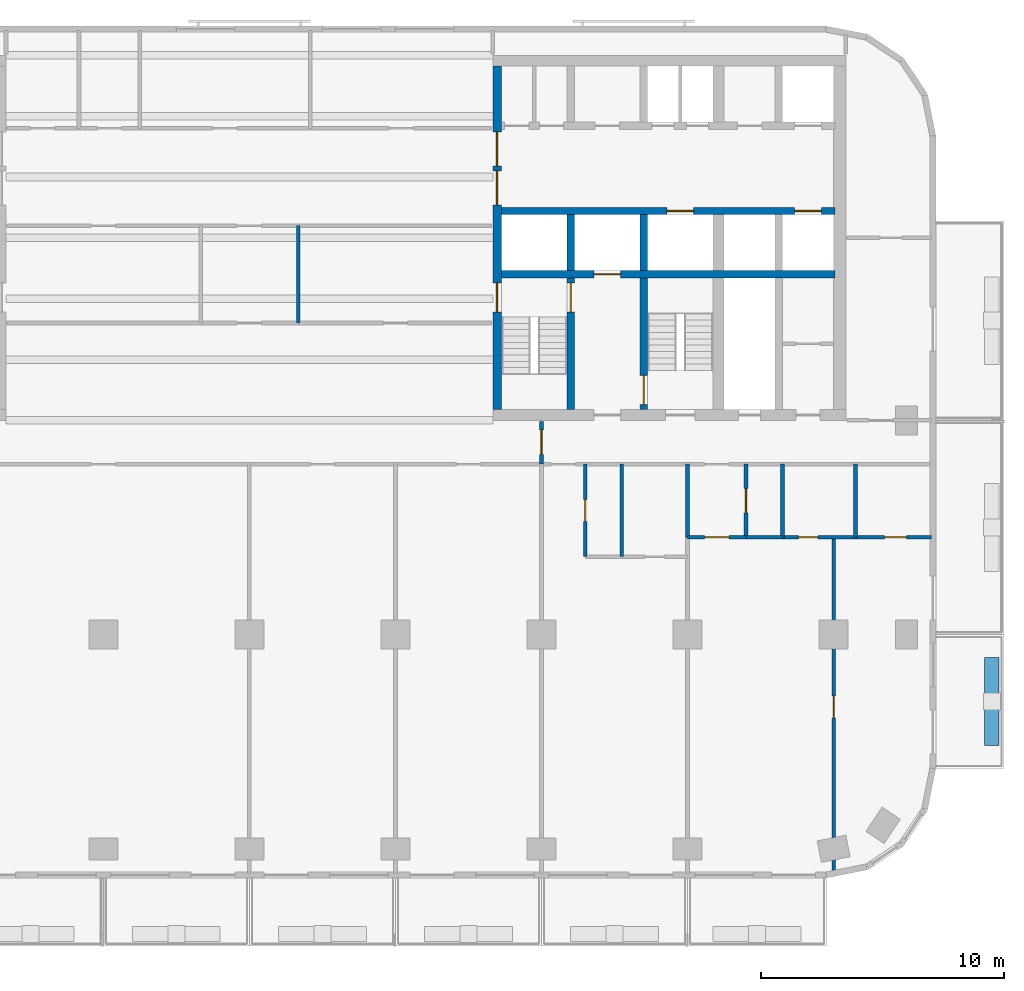
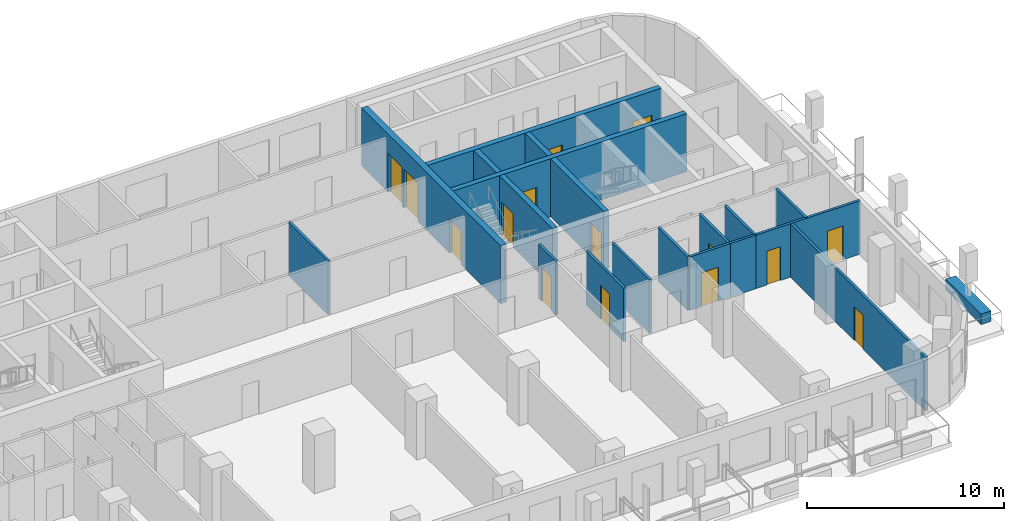
# One storey, part 5 of 11: 20 walls, 15 doors, 15 openings.
"""IFC4 building model written with IfcOpenShell, lengths in metres."""

from ifc_helpers import new_model, si_unit, direction, frame, frame_2d, origin, place, context, subcontext, project, spatial, rectangle, extrude, material, layer, layer_set, type_object, element, fill, save


model = new_model("IFC4")

# Units and contexts
model_context = context("Model", 3, precision=1e-05, world=origin(), true_north=direction((0.0, 1.0)))
body_context = subcontext(model_context, "Body", "Model", "MODEL_VIEW")
ifc_project = project(units=[si_unit("LENGTHUNIT", "METRE"), si_unit("AREAUNIT", "SQUARE_METRE"), si_unit("VOLUMEUNIT", "CUBIC_METRE"), si_unit("PLANEANGLEUNIT", "RADIAN"), si_unit("MASSUNIT", "GRAM", prefix="KILO")], contexts=[model_context])

# Site, building, storey
site_placement = place(None, origin())
site = spatial("IfcSite", under=ifc_project, at=site_placement, CompositionType="ELEMENT")
building_placement = place(site_placement, origin())
building = spatial("IfcBuilding", under=site, at=building_placement, Name="Torana Hotel and Residences", CompositionType="ELEMENT")
storey_placement = place(building_placement, frame((0.0, 0.0, 116.39990234375)))
storey = spatial("IfcBuildingStorey", under=building, at=storey_placement, Name="L29", CompositionType="ELEMENT", Elevation=116.39990234375)

# Wall, openings, doors
ifc_material_1 = material(Name="Concrete C70/85", Category="concrete")
ifc_layer_1 = layer(ifc_material_1, 0.300048828125)
ifc_layer_set_1 = layer_set([ifc_layer_1], Name="CORE WALL 300 C70/85")
wall_type_1 = type_object("IfcWallType", Name="CORE WALL 300 C70/85", PredefinedType="SHEAR", material=ifc_layer_set_1)
wall_1_placement = place(storey_placement, frame((10.35009765625, -6.39990234375, 0.0), z_axis=(0.0, 0.0, 1.0), x_axis=(1.0, 0.0, 0.0)))
wall_1 = element("IfcWall", 1, at=wall_1_placement, inside=storey, type_object=wall_type_1, Name="Core wall E row-S", PredefinedType="SHEAR", context=body_context, shape_type="SweptSolid", body=[
    extrude(rectangle(XDim=13.699951171875, YDim=0.300048828125, at=frame_2d((6.85009765625, 0.0))), origin(), (0.0, 0.0, 1.0), 3.60009765625),
])
opening_1_placement = place(wall_1_placement, frame((12.050048828125, 0.0, 0.0)))
opening_1 = element("IfcOpeningElement", 2, at=opening_1_placement, cuts=wall_1, Name="Opening LD", PredefinedType="OPENING", context=body_context, shape_type="SweptSolid", body=[
    extrude(rectangle(XDim=1.10009765625, YDim=2.10009765625, at=frame_2d((0.550048828125, 1.050048828125))), frame((0.0, 0.159912109375, 0.0), z_axis=(0.0, -1.0, 0.0), x_axis=(1.0, 0.0, 0.0)), (0.0, 0.0, 1.0), 0.320068359375),
])
opening_2_placement = place(wall_1_placement, frame((6.800048828125, 0.0, 0.0)))
opening_2 = element("IfcOpeningElement", 3, at=opening_2_placement, cuts=wall_1, Name="Opening LD", PredefinedType="OPENING", context=body_context, shape_type="SweptSolid", body=[
    extrude(rectangle(XDim=1.10009765625, YDim=2.10009765625, at=frame_2d((0.550048828125, 1.050048828125))), frame((0.0, 0.159912109375, 0.0), z_axis=(0.0, -1.0, 0.0), x_axis=(1.0, 0.0, 0.0)), (0.0, 0.0, 1.0), 0.320068359375),
])
ifc_material_2 = material(Name="Stainless steel 316", Category="steel")
door_type_1 = type_object("IfcDoorType", Name="LIFT LANDING DOOR LD 1100x2100", OperationType="DOUBLE_DOOR_SLIDING", PredefinedType="USERDEFINED", material=ifc_material_2)
door_1_placement = place(opening_1_placement, origin())
door_1 = element("IfcDoor", 4, at=door_1_placement, inside=storey, type_object=door_type_1, Name="Lift landing door M4 L29", ObjectType="LIFT LANDING DOOR", OperationType="DOUBLE_DOOR_SLIDING", OverallHeight=2.10009765625, OverallWidth=1.10009765625, PredefinedType="USERDEFINED", context=body_context, shape_type="SweptSolid", body=[
    extrude(rectangle(XDim=1.10009765625, YDim=2.10009765625, at=frame_2d((0.550048828125, 1.050048828125))), frame((0.0, 0.02490234375, 0.0), z_axis=(0.0, -1.0, 0.0), x_axis=(1.0, 0.0, 0.0)), (0.0, 0.0, 1.0), 0.050048828125),
])
fill(opening_1, door_1)
door_2_placement = place(opening_2_placement, origin())
door_2 = element("IfcDoor", 5, at=door_2_placement, inside=storey, type_object=door_type_1, Name="Lift landing door SV2 L29", ObjectType="LIFT LANDING DOOR", OperationType="DOUBLE_DOOR_SLIDING", OverallHeight=2.10009765625, OverallWidth=1.10009765625, PredefinedType="USERDEFINED", context=body_context, shape_type="SweptSolid", body=[
    extrude(rectangle(XDim=1.10009765625, YDim=2.10009765625, at=frame_2d((0.550048828125, 1.050048828125))), frame((0.0, 0.02490234375, 0.0), z_axis=(0.0, -1.0, 0.0), x_axis=(1.0, 0.0, 0.0)), (0.0, 0.0, 1.0), 0.050048828125),
])
fill(opening_2, door_2)

# Wall, opening, door
wall_2_placement = place(storey_placement, frame((10.35009765625, -9.0, 0.0), z_axis=(0.0, 0.0, 1.0), x_axis=(1.0, 0.0, 0.0)))
wall_2 = element("IfcWall", 6, at=wall_2_placement, inside=storey, type_object=wall_type_1, Name="Core wall E band", PredefinedType="SHEAR", context=body_context, shape_type="SweptSolid", body=[
    extrude(rectangle(XDim=13.699951171875, YDim=0.300048828125, at=frame_2d((6.85009765625, 0.0))), origin(), (0.0, 0.0, 1.0), 3.60009765625),
])
opening_3_placement = place(wall_2_placement, frame((3.800048828125, 0.0, 0.0)))
opening_3 = element("IfcOpeningElement", 7, at=opening_3_placement, cuts=wall_2, Name="Opening LD", PredefinedType="OPENING", context=body_context, shape_type="SweptSolid", body=[
    extrude(rectangle(XDim=1.10009765625, YDim=2.10009765625, at=frame_2d((0.550048828125, 1.050048828125))), frame((0.0, 0.159912109375, 0.0), z_axis=(0.0, -1.0, 0.0), x_axis=(1.0, 0.0, 0.0)), (0.0, 0.0, 1.0), 0.320068359375),
])
door_3_placement = place(opening_3_placement, origin())
door_3 = element("IfcDoor", 8, at=door_3_placement, inside=storey, type_object=door_type_1, Name="Lift landing door FF2 L29", ObjectType="LIFT LANDING DOOR", OperationType="DOUBLE_DOOR_SLIDING", OverallHeight=2.10009765625, OverallWidth=1.10009765625, PredefinedType="USERDEFINED", context=body_context, shape_type="SweptSolid", body=[
    extrude(rectangle(XDim=1.10009765625, YDim=2.10009765625, at=frame_2d((0.550048828125, 1.050048828125))), frame((0.0, 0.02490234375, 0.0), z_axis=(0.0, -1.0, 0.0), x_axis=(1.0, 0.0, 0.0)), (0.0, 0.0, 1.0), 0.050048828125),
])
fill(opening_3, door_3)

# Wall
wall_3_placement = place(storey_placement, frame((13.199951171875, -8.85009765625, 0.0), z_axis=(0.0, 0.0, 1.0), x_axis=(0.0, 1.0, 0.0)))
element("IfcWall", 9, at=wall_3_placement, inside=storey, type_object=wall_type_1, Name="Core wall E x3.05-S", PredefinedType="SHEAR", context=body_context, shape_type="SweptSolid", body=[
    extrude(rectangle(XDim=2.300048828125, YDim=0.300048828125, at=frame_2d((1.14990234375, 0.0))), origin(), (0.0, 0.0, 1.0), 3.60009765625),
])

# Wall, opening, door
wall_4_placement = place(storey_placement, frame((13.199951171875, -14.550048828125, 0.0), z_axis=(0.0, 0.0, 1.0), x_axis=(0.0, 1.0, 0.0)))
wall_4 = element("IfcWall", 10, at=wall_4_placement, inside=storey, type_object=wall_type_1, Name="Core wall E x3.05-band", PredefinedType="SHEAR", context=body_context, shape_type="SweptSolid", body=[
    extrude(rectangle(XDim=5.400146484375, YDim=0.300048828125, at=frame_2d((2.7001953125, 0.0))), origin(), (0.0, 0.0, 1.0), 3.60009765625),
])
opening_4_placement = place(wall_4_placement, frame((4.0, 0.0, 0.0)))
opening_4 = element("IfcOpeningElement", 11, at=opening_4_placement, cuts=wall_4, Name="Opening L29-29", PredefinedType="OPENING", context=body_context, shape_type="SweptSolid", body=[
    extrude(rectangle(XDim=1.199951171875, YDim=2.10009765625, at=frame_2d((0.60009765625, 1.050048828125))), frame((0.0, 0.159912109375, 0.0), z_axis=(0.0, -1.0, 0.0), x_axis=(1.0, 0.0, 0.0)), (0.0, 0.0, 1.0), 0.320068359375),
])
ifc_material_3 = material(Name="Steel S235", Category="steel")
door_type_2 = type_object("IfcDoorType", Name="STAIR FIRE DOOR D3 1200x2100", OperationType="SINGLE_SWING_LEFT", PredefinedType="DOOR", material=ifc_material_3)
door_4_placement = place(opening_4_placement, origin())
door_4 = element("IfcDoor", 12, at=door_4_placement, inside=storey, type_object=door_type_2, Name="Stair-A-lobby door L29", OperationType="SINGLE_SWING_LEFT", OverallHeight=2.10009765625, OverallWidth=1.199951171875, PredefinedType="DOOR", context=body_context, shape_type="SweptSolid", body=[
    extrude(rectangle(XDim=1.199951171875, YDim=2.10009765625, at=frame_2d((0.60009765625, 1.050048828125))), frame((0.0, 0.02490234375, 0.0), z_axis=(0.0, -1.0, 0.0), x_axis=(1.0, 0.0, 0.0)), (0.0, 0.0, 1.0), 0.050048828125),
])
fill(opening_4, door_4)

# Wall
wall_5_placement = place(storey_placement, frame((16.199951171875, -8.85009765625, 0.0), z_axis=(0.0, 0.0, 1.0), x_axis=(0.0, 1.0, 0.0)))
element("IfcWall", 13, at=wall_5_placement, inside=storey, type_object=wall_type_1, Name="Core wall E x6.05-S", PredefinedType="SHEAR", context=body_context, shape_type="SweptSolid", body=[
    extrude(rectangle(XDim=2.300048828125, YDim=0.300048828125, at=frame_2d((1.14990234375, 0.0))), origin(), (0.0, 0.0, 1.0), 3.60009765625),
])

# Wall, opening, door
wall_6_placement = place(storey_placement, frame((16.199951171875, -14.550048828125, 0.0), z_axis=(0.0, 0.0, 1.0), x_axis=(0.0, 1.0, 0.0)))
wall_6 = element("IfcWall", 14, at=wall_6_placement, inside=storey, type_object=wall_type_1, Name="Core wall E x6.05-band", PredefinedType="SHEAR", context=body_context, shape_type="SweptSolid", body=[
    extrude(rectangle(XDim=5.400146484375, YDim=0.300048828125, at=frame_2d((2.7001953125, 0.0))), origin(), (0.0, 0.0, 1.0), 3.60009765625),
])
opening_5_placement = place(wall_6_placement, frame((0.199951171875, 0.0, 0.0)))
opening_5 = element("IfcOpeningElement", 15, at=opening_5_placement, cuts=wall_6, Name="Opening L29-30", PredefinedType="OPENING", context=body_context, shape_type="SweptSolid", body=[
    extrude(rectangle(XDim=1.199951171875, YDim=2.10009765625, at=frame_2d((0.60009765625, 1.050048828125))), frame((0.0, 0.159912109375, 0.0), z_axis=(0.0, -1.0, 0.0), x_axis=(1.0, 0.0, 0.0)), (0.0, 0.0, 1.0), 0.320068359375),
])
door_5_placement = place(opening_5_placement, frame((0.60009765625, 0.0, 0.0), z_axis=(0.0, 0.0, 1.0), x_axis=(-1.0, 0.0, 0.0)))
door_5 = element("IfcDoor", 16, at=door_5_placement, inside=storey, type_object=door_type_2, Name="Stair-B-lobby door L29", OperationType="SINGLE_SWING_LEFT", OverallHeight=2.10009765625, OverallWidth=1.199951171875, PredefinedType="DOOR", context=body_context, shape_type="SweptSolid", body=[
    extrude(rectangle(XDim=1.199951171875, YDim=2.10009765625, at=frame_2d((0.0, 1.050048828125))), frame((0.0, -0.02490234375, 0.0), z_axis=(0.0, 1.0, 0.0), x_axis=(-1.0, 0.0, 0.0)), (0.0, 0.0, 1.0), 0.050048828125),
])
fill(opening_5, door_5)

# Wall, openings, doors
ifc_material_4 = material(Name="Concrete C70/85", Category="concrete")
ifc_layer_2 = layer(ifc_material_4, 0.35009765625)
ifc_layer_set_2 = layer_set([ifc_layer_2], Name="CORE WALL 350 C70/85")
wall_type_2 = type_object("IfcWallType", Name="CORE WALL 350 C70/85", PredefinedType="SHEAR", material=ifc_layer_set_2)
wall_7_placement = place(storey_placement, frame((10.175048828125, -14.550048828125, 0.0), z_axis=(0.0, 0.0, 1.0), x_axis=(0.0, 1.0, 0.0)))
wall_7 = element("IfcWall", 17, at=wall_7_placement, inside=storey, type_object=wall_type_2, Name="Core wall E arch", PredefinedType="SHEAR", context=body_context, shape_type="SweptSolid", body=[
    extrude(rectangle(XDim=14.10009765625, YDim=0.35009765625, at=frame_2d((7.050048828125, 0.0))), origin(), (0.0, 0.0, 1.0), 3.60009765625),
])
opening_6_placement = place(wall_7_placement, frame((8.39990234375, 0.0, 0.0)))
opening_6 = element("IfcOpeningElement", 18, at=opening_6_placement, cuts=wall_7, Name="Opening L29-16", PredefinedType="OPENING", context=body_context, shape_type="SweptSolid", body=[
    extrude(rectangle(XDim=1.39990234375, YDim=2.39990234375, at=frame_2d((0.699951171875, 1.199951171875))), frame((0.0, 0.18505859375, 0.0), z_axis=(0.0, -1.0, 0.0), x_axis=(1.0, 0.0, 0.0)), (0.0, 0.0, 1.0), 0.3701171875),
])
opening_7_placement = place(wall_7_placement, frame((10.0, 0.0, 0.0)))
opening_7 = element("IfcOpeningElement", 19, at=opening_7_placement, cuts=wall_7, Name="Opening L29-17", PredefinedType="OPENING", context=body_context, shape_type="SweptSolid", body=[
    extrude(rectangle(XDim=1.39990234375, YDim=2.39990234375, at=frame_2d((0.699951171875, 1.199951171875))), frame((0.0, 0.18505859375, 0.0), z_axis=(0.0, -1.0, 0.0), x_axis=(1.0, 0.0, 0.0)), (0.0, 0.0, 1.0), 0.3701171875),
])
opening_8_placement = place(wall_7_placement, frame((4.0, 0.0, 0.0)))
opening_8 = element("IfcOpeningElement", 20, at=opening_8_placement, cuts=wall_7, Name="Opening L29-18", PredefinedType="OPENING", context=body_context, shape_type="SweptSolid", body=[
    extrude(rectangle(XDim=1.199951171875, YDim=2.10009765625, at=frame_2d((0.60009765625, 1.050048828125))), frame((0.0, 0.18505859375, 0.0), z_axis=(0.0, -1.0, 0.0), x_axis=(1.0, 0.0, 0.0)), (0.0, 0.0, 1.0), 0.3701171875),
])
ifc_material_5 = material(Name="Steel S235", Category="steel")
door_type_3 = type_object("IfcDoorType", Name="LOBBY FIRE DOOR D4 1400x2400", OperationType="DOUBLE_DOOR_SINGLE_SWING", PredefinedType="DOOR", material=ifc_material_5)
door_6_placement = place(opening_6_placement, origin())
door_6 = element("IfcDoor", 21, at=door_6_placement, inside=storey, type_object=door_type_3, Name="Lobby-1 door L29", OperationType="DOUBLE_DOOR_SINGLE_SWING", OverallHeight=2.39990234375, OverallWidth=1.39990234375, PredefinedType="DOOR", context=body_context, shape_type="SweptSolid", body=[
    extrude(rectangle(XDim=1.39990234375, YDim=2.39990234375, at=frame_2d((0.699951171875, 1.199951171875))), frame((0.0, 0.02490234375, 0.0), z_axis=(0.0, -1.0, 0.0), x_axis=(1.0, 0.0, 0.0)), (0.0, 0.0, 1.0), 0.050048828125),
])
fill(opening_6, door_6)
door_7_placement = place(opening_7_placement, origin())
door_7 = element("IfcDoor", 22, at=door_7_placement, inside=storey, type_object=door_type_3, Name="Lobby-2 door L29", OperationType="DOUBLE_DOOR_SINGLE_SWING", OverallHeight=2.39990234375, OverallWidth=1.39990234375, PredefinedType="DOOR", context=body_context, shape_type="SweptSolid", body=[
    extrude(rectangle(XDim=1.39990234375, YDim=2.39990234375, at=frame_2d((0.699951171875, 1.199951171875))), frame((0.0, 0.02490234375, 0.0), z_axis=(0.0, -1.0, 0.0), x_axis=(1.0, 0.0, 0.0)), (0.0, 0.0, 1.0), 0.050048828125),
])
fill(opening_7, door_7)
door_8_placement = place(opening_8_placement, frame((0.60009765625, 0.0, 0.0), z_axis=(0.0, 0.0, 1.0), x_axis=(-1.0, 0.0, 0.0)))
door_8 = element("IfcDoor", 23, at=door_8_placement, inside=storey, type_object=door_type_2, Name="Stair-A door L29", OperationType="SINGLE_SWING_RIGHT", OverallHeight=2.10009765625, OverallWidth=1.199951171875, PredefinedType="DOOR", context=body_context, shape_type="SweptSolid", body=[
    extrude(rectangle(XDim=1.199951171875, YDim=2.10009765625, at=frame_2d((0.0, 1.050048828125))), frame((0.0, -0.02490234375, 0.0), z_axis=(0.0, 1.0, 0.0), x_axis=(-1.0, 0.0, 0.0)), (0.0, 0.0, 1.0), 0.050048828125),
])
fill(opening_8, door_8)

# Wall, opening, door
ifc_material_6 = material(Name="Gypsum plaster")
ifc_layer_3 = layer(ifc_material_6, 0.014892578125, Name="Plaster", Category="finish")
ifc_material_7 = material(Name="Concrete blockwork", Category="masonry")
ifc_layer_4 = layer(ifc_material_7, 0.1201171875, Name="Blockwork", Category="structure")
ifc_layer_5 = layer(ifc_material_6, 0.014892578125, Name="Plaster", Category="finish")
ifc_layer_set_3 = layer_set([ifc_layer_3, ifc_layer_4, ifc_layer_5], Name="FIRE PARTITION 150 BLOCKWORK")
wall_type_3 = type_object("IfcWallType", Name="FIRE PARTITION 150 BLOCKWORK", PredefinedType="PARTITIONING", material=ifc_layer_set_3)
wall_8_placement = place(storey_placement, frame((20.39990234375, -19.800048828125, 0.0), z_axis=(0.0, 0.0, 1.0), x_axis=(0.0, 1.0, 0.0)))
wall_8 = element("IfcWall", 24, at=wall_8_placement, inside=storey, type_object=wall_type_3, Name="Partition L29", PredefinedType="PARTITIONING", context=body_context, shape_type="SweptSolid", body=[
    extrude(rectangle(XDim=3.0, YDim=0.14990234375, at=frame_2d((1.5, 0.0))), origin(), (0.0, 0.0, 1.0), 3.320068359375),
])
opening_9_placement = place(wall_8_placement, frame((1.0, 0.0, 0.0)))
opening_9 = element("IfcOpeningElement", 25, at=opening_9_placement, cuts=wall_8, Name="Opening L29-62", PredefinedType="OPENING", context=body_context, shape_type="SweptSolid", body=[
    extrude(rectangle(XDim=1.0, YDim=2.10009765625, at=frame_2d((0.5, 1.050048828125))), frame((0.0, 0.0849609375, 0.0), z_axis=(0.0, -1.0, 0.0), x_axis=(1.0, 0.0, 0.0)), (0.0, 0.0, 1.0), 0.169921875),
])
ifc_material_8 = material(Name="Steel S235", Category="steel")
door_type_4 = type_object("IfcDoorType", Name="ENTRY FIRE DOOR D6 1000x2100", OperationType="SINGLE_SWING_LEFT", PredefinedType="DOOR", material=ifc_material_8)
door_9_placement = place(opening_9_placement, frame((0.5, 0.0, 0.0), z_axis=(0.0, 0.0, 1.0), x_axis=(-1.0, 0.0, 0.0)))
door_9 = element("IfcDoor", 26, at=door_9_placement, inside=storey, type_object=door_type_4, Name="Door L29", OperationType="SINGLE_SWING_LEFT", OverallHeight=2.10009765625, OverallWidth=1.0, PredefinedType="DOOR", context=body_context, shape_type="SweptSolid", body=[
    extrude(rectangle(XDim=1.0, YDim=2.10009765625, at=frame_2d((0.0, 1.050048828125))), frame((0.0, -0.02490234375, 0.0), z_axis=(0.0, 1.0, 0.0), x_axis=(-1.0, 0.0, 0.0)), (0.0, 0.0, 1.0), 0.050048828125),
])
fill(opening_9, door_9)

# Wall
wall_9_placement = place(storey_placement, frame((18.0, -19.800048828125, 0.0), z_axis=(0.0, 0.0, 1.0), x_axis=(0.0, 1.0, 0.0)))
element("IfcWall", 27, at=wall_9_placement, inside=storey, type_object=wall_type_3, Name="Partition L29", PredefinedType="PARTITIONING", context=body_context, shape_type="SweptSolid", body=[
    extrude(rectangle(XDim=3.0, YDim=0.14990234375, at=frame_2d((1.5, 0.0))), origin(), (0.0, 0.0, 1.0), 3.320068359375),
])

# Wall, opening, door
wall_10_placement = place(storey_placement, frame((12.0, -16.800048828125, 0.0), z_axis=(0.0, 0.0, 1.0), x_axis=(0.0, 1.0, 0.0)))
wall_10 = element("IfcWall", 28, at=wall_10_placement, inside=storey, type_object=wall_type_3, Name="Partition L29", PredefinedType="PARTITIONING", context=body_context, shape_type="SweptSolid", body=[
    extrude(rectangle(XDim=1.75, YDim=0.14990234375, at=frame_2d((0.875, 0.0))), origin(), (0.0, 0.0, 1.0), 3.320068359375),
])
opening_10_placement = place(wall_10_placement, frame((0.39990234375, 0.0, 0.0)))
opening_10 = element("IfcOpeningElement", 29, at=opening_10_placement, cuts=wall_10, Name="Opening L29-38", PredefinedType="OPENING", context=body_context, shape_type="SweptSolid", body=[
    extrude(rectangle(XDim=1.0, YDim=2.10009765625, at=frame_2d((0.5, 1.050048828125))), frame((0.0, 0.0849609375, 0.0), z_axis=(0.0, -1.0, 0.0), x_axis=(1.0, 0.0, 0.0)), (0.0, 0.0, 1.0), 0.169921875),
])
door_10_placement = place(opening_10_placement, origin())
door_10 = element("IfcDoor", 30, at=door_10_placement, inside=storey, type_object=door_type_4, Name="Door L29", OperationType="SINGLE_SWING_RIGHT", OverallHeight=2.10009765625, OverallWidth=1.0, PredefinedType="DOOR", context=body_context, shape_type="SweptSolid", body=[
    extrude(rectangle(XDim=1.0, YDim=2.10009765625, at=frame_2d((0.5, 1.050048828125))), frame((0.0, 0.02490234375, 0.0), z_axis=(0.0, -1.0, 0.0), x_axis=(1.0, 0.0, 0.0)), (0.0, 0.0, 1.0), 0.050048828125),
])
fill(opening_10, door_10)

# Wall
wall_11_placement = place(storey_placement, frame((2.0, -11.0, 0.0), z_axis=(0.0, 0.0, 1.0), x_axis=(0.0, 1.0, 0.0)))
element("IfcWall", 31, at=wall_11_placement, inside=storey, type_object=wall_type_3, Name="Partition L29", PredefinedType="PARTITIONING", context=body_context, shape_type="SweptSolid", body=[
    extrude(rectangle(XDim=4.0, YDim=0.14990234375, at=frame_2d((2.0, 0.0))), origin(), (0.0, 0.0, 1.0), 3.320068359375),
])

# Wall, opening, door
wall_12_placement = place(storey_placement, frame((18.0, -19.800048828125, 0.0), z_axis=(0.0, 0.0, 1.0), x_axis=(1.0, 0.0, 0.0)))
wall_12 = element("IfcWall", 32, at=wall_12_placement, inside=storey, type_object=wall_type_3, Name="Partition L29", PredefinedType="PARTITIONING", context=body_context, shape_type="SweptSolid", body=[
    extrude(rectangle(XDim=2.39990234375, YDim=0.14990234375, at=frame_2d((1.199951171875, 0.0))), origin(), (0.0, 0.0, 1.0), 3.320068359375),
])
opening_11_placement = place(wall_12_placement, frame((0.699951171875, 0.0, 0.0)))
opening_11 = element("IfcOpeningElement", 33, at=opening_11_placement, cuts=wall_12, Name="Opening L29-63", PredefinedType="OPENING", context=body_context, shape_type="SweptSolid", body=[
    extrude(rectangle(XDim=1.0, YDim=2.10009765625, at=frame_2d((0.5, 1.050048828125))), frame((0.0, 0.0849609375, 0.0), z_axis=(0.0, -1.0, 0.0), x_axis=(1.0, 0.0, 0.0)), (0.0, 0.0, 1.0), 0.169921875),
])
door_11_placement = place(opening_11_placement, frame((0.5, 0.0, 0.0), z_axis=(0.0, 0.0, 1.0), x_axis=(-1.0, 0.0, 0.0)))
door_11 = element("IfcDoor", 34, at=door_11_placement, inside=storey, type_object=door_type_4, Name="Door L29", OperationType="SINGLE_SWING_LEFT", OverallHeight=2.10009765625, OverallWidth=1.0, PredefinedType="DOOR", context=body_context, shape_type="SweptSolid", body=[
    extrude(rectangle(XDim=1.0, YDim=2.10009765625, at=frame_2d((0.0, 1.050048828125))), frame((0.0, -0.02490234375, 0.0), z_axis=(0.0, 1.0, 0.0), x_axis=(-1.0, 0.0, 0.0)), (0.0, 0.0, 1.0), 0.050048828125),
])
fill(opening_11, door_11)

# Wall
ifc_material_9 = material(Name="Gypsum plasterboard")
ifc_layer_6 = layer(ifc_material_9, 0.012451171875, Name="Plasterboard", Category="finish")
ifc_layer_7 = layer(ifc_material_9, 0.012451171875, Name="Plasterboard", Category="finish")
ifc_material_10 = material(Name="Steel S280GD", Category="steel")
ifc_layer_8 = layer(ifc_material_10, 0.10009765625, Name="Steel studs with mineral wool", Category="insulation")
ifc_layer_9 = layer(ifc_material_9, 0.012451171875, Name="Plasterboard", Category="finish")
ifc_layer_10 = layer(ifc_material_9, 0.012451171875, Name="Plasterboard", Category="finish")
ifc_layer_set_4 = layer_set([ifc_layer_6, ifc_layer_7, ifc_layer_8, ifc_layer_9, ifc_layer_10], Name="PARTITION 150 PLASTERBOARD")
wall_type_4 = type_object("IfcWallType", Name="PARTITION 150 PLASTERBOARD", PredefinedType="PARTITIONING", material=ifc_layer_set_4)
wall_13_placement = place(storey_placement, frame((24.89990234375, -19.800048828125, 0.0), z_axis=(0.0, 0.0, 1.0), x_axis=(0.0, 1.0, 0.0)))
element("IfcWall", 35, at=wall_13_placement, inside=storey, type_object=wall_type_4, Name="Partition L29", PredefinedType="PARTITIONING", context=body_context, shape_type="SweptSolid", body=[
    extrude(rectangle(XDim=3.0, YDim=0.14990234375, at=frame_2d((1.5, 0.0))), origin(), (0.0, 0.0, 1.0), 3.320068359375),
])

# Wall, opening, door
wall_14_placement = place(storey_placement, frame((24.0, -33.556884765625, 0.0), z_axis=(0.0, 0.0, 1.0), x_axis=(0.0, 1.0, 0.0)))
wall_14 = element("IfcWall", 36, at=wall_14_placement, inside=storey, type_object=wall_type_4, Name="Partition L29", PredefinedType="PARTITIONING", context=body_context, shape_type="SweptSolid", body=[
    extrude(rectangle(XDim=13.7568359375, YDim=0.14990234375, at=frame_2d((6.87841796875, 0.0))), origin(), (0.0, 0.0, 1.0), 3.320068359375),
])
opening_12_placement = place(wall_14_placement, frame((6.3369140625, 0.0, 0.0)))
opening_12 = element("IfcOpeningElement", 37, at=opening_12_placement, cuts=wall_14, Name="Opening L29-66", PredefinedType="OPENING", context=body_context, shape_type="SweptSolid", body=[
    extrude(rectangle(XDim=0.89990234375, YDim=2.10009765625, at=frame_2d((0.449951171875, 1.050048828125))), frame((0.0, 0.0849609375, 0.0), z_axis=(0.0, -1.0, 0.0), x_axis=(1.0, 0.0, 0.0)), (0.0, 0.0, 1.0), 0.169921875),
])
ifc_material_11 = material(Name="Timber door, oiled ash", Category="wood")
door_type_5 = type_object("IfcDoorType", Name="ROOM DOOR D7 900x2100", OperationType="SINGLE_SWING_LEFT", PredefinedType="DOOR", material=ifc_material_11)
door_12_placement = place(opening_12_placement, origin())
door_12 = element("IfcDoor", 38, at=door_12_placement, inside=storey, type_object=door_type_5, Name="Door L29", OperationType="SINGLE_SWING_RIGHT", OverallHeight=2.10009765625, OverallWidth=0.89990234375, PredefinedType="DOOR", context=body_context, shape_type="SweptSolid", body=[
    extrude(rectangle(XDim=0.89990234375, YDim=2.10009765625, at=frame_2d((0.449951171875, 1.050048828125))), frame((0.0, 0.02490234375, 0.0), z_axis=(0.0, -1.0, 0.0), x_axis=(1.0, 0.0, 0.0)), (0.0, 0.0, 1.0), 0.050048828125),
])
fill(opening_12, door_12)

# Wall
wall_15_placement = place(storey_placement, frame((15.300048828125, -20.60009765625, 0.0), z_axis=(0.0, 0.0, 1.0), x_axis=(0.0, 1.0, 0.0)))
element("IfcWall", 39, at=wall_15_placement, inside=storey, type_object=wall_type_4, Name="Partition L29", PredefinedType="PARTITIONING", context=body_context, shape_type="SweptSolid", body=[
    extrude(rectangle(XDim=3.800048828125, YDim=0.14990234375, at=frame_2d((1.89990234375, 0.0))), origin(), (0.0, 0.0, 1.0), 3.320068359375),
])

# Wall, opening, door
wall_16_placement = place(storey_placement, frame((13.800048828125, -20.60009765625, 0.0), z_axis=(0.0, 0.0, 1.0), x_axis=(0.0, 1.0, 0.0)))
wall_16 = element("IfcWall", 40, at=wall_16_placement, inside=storey, type_object=wall_type_4, Name="Partition L29", PredefinedType="PARTITIONING", context=body_context, shape_type="SweptSolid", body=[
    extrude(rectangle(XDim=3.800048828125, YDim=0.14990234375, at=frame_2d((1.89990234375, 0.0))), origin(), (0.0, 0.0, 1.0), 3.320068359375),
])
opening_13_placement = place(wall_16_placement, frame((1.449951171875, 0.0, 0.0)))
opening_13 = element("IfcOpeningElement", 41, at=opening_13_placement, cuts=wall_16, Name="Opening L29-55", PredefinedType="OPENING", context=body_context, shape_type="SweptSolid", body=[
    extrude(rectangle(XDim=0.89990234375, YDim=2.10009765625, at=frame_2d((0.449951171875, 1.050048828125))), frame((0.0, 0.0849609375, 0.0), z_axis=(0.0, -1.0, 0.0), x_axis=(1.0, 0.0, 0.0)), (0.0, 0.0, 1.0), 0.169921875),
])
door_13_placement = place(opening_13_placement, origin())
door_13 = element("IfcDoor", 42, at=door_13_placement, inside=storey, type_object=door_type_5, Name="Door L29", OperationType="SINGLE_SWING_LEFT", OverallHeight=2.10009765625, OverallWidth=0.89990234375, PredefinedType="DOOR", context=body_context, shape_type="SweptSolid", body=[
    extrude(rectangle(XDim=0.89990234375, YDim=2.10009765625, at=frame_2d((0.449951171875, 1.050048828125))), frame((0.0, 0.02490234375, 0.0), z_axis=(0.0, -1.0, 0.0), x_axis=(1.0, 0.0, 0.0)), (0.0, 0.0, 1.0), 0.050048828125),
])
fill(opening_13, door_13)

# Wall, openings, doors
wall_17_placement = place(storey_placement, frame((21.89990234375, -19.800048828125, 0.0), z_axis=(0.0, 0.0, 1.0), x_axis=(1.0, 0.0, 0.0)))
wall_17 = element("IfcWall", 43, at=wall_17_placement, inside=storey, type_object=wall_type_4, Name="Partition L29", PredefinedType="PARTITIONING", context=body_context, shape_type="SweptSolid", body=[
    extrude(rectangle(XDim=6.1201171875, YDim=0.14990234375, at=frame_2d((3.06005859375, 0.0))), origin(), (0.0, 0.0, 1.0), 3.320068359375),
])
opening_14_placement = place(wall_17_placement, frame((0.64990234375, 0.0, 0.0)))
opening_14 = element("IfcOpeningElement", 44, at=opening_14_placement, cuts=wall_17, Name="Opening L29-64", PredefinedType="OPENING", context=body_context, shape_type="SweptSolid", body=[
    extrude(rectangle(XDim=0.800048828125, YDim=2.10009765625, at=frame_2d((0.39990234375, 1.050048828125))), frame((0.0, 0.0849609375, 0.0), z_axis=(0.0, -1.0, 0.0), x_axis=(1.0, 0.0, 0.0)), (0.0, 0.0, 1.0), 0.169921875),
])
opening_15_placement = place(wall_17_placement, frame((4.199951171875, 0.0, 0.0)))
opening_15 = element("IfcOpeningElement", 45, at=opening_15_placement, cuts=wall_17, Name="Opening L29-65", PredefinedType="OPENING", context=body_context, shape_type="SweptSolid", body=[
    extrude(rectangle(XDim=0.89990234375, YDim=2.10009765625, at=frame_2d((0.449951171875, 1.050048828125))), frame((0.0, 0.0849609375, 0.0), z_axis=(0.0, -1.0, 0.0), x_axis=(1.0, 0.0, 0.0)), (0.0, 0.0, 1.0), 0.169921875),
])
ifc_material_12 = material(Name="Timber door, painted", Category="wood")
door_type_6 = type_object("IfcDoorType", Name="BATH DOOR D13 800x2100", OperationType="SINGLE_SWING_LEFT", PredefinedType="DOOR", material=ifc_material_12)
door_14_placement = place(opening_14_placement, origin())
door_14 = element("IfcDoor", 46, at=door_14_placement, inside=storey, type_object=door_type_6, Name="Door L29", OperationType="SINGLE_SWING_RIGHT", OverallHeight=2.10009765625, OverallWidth=0.800048828125, PredefinedType="DOOR", context=body_context, shape_type="SweptSolid", body=[
    extrude(rectangle(XDim=0.800048828125, YDim=2.10009765625, at=frame_2d((0.39990234375, 1.050048828125))), frame((0.0, 0.02490234375, 0.0), z_axis=(0.0, -1.0, 0.0), x_axis=(1.0, 0.0, 0.0)), (0.0, 0.0, 1.0), 0.050048828125),
])
fill(opening_14, door_14)
door_15_placement = place(opening_15_placement, origin())
door_15 = element("IfcDoor", 47, at=door_15_placement, inside=storey, type_object=door_type_5, Name="Door L29", OperationType="SINGLE_SWING_LEFT", OverallHeight=2.10009765625, OverallWidth=0.89990234375, PredefinedType="DOOR", context=body_context, shape_type="SweptSolid", body=[
    extrude(rectangle(XDim=0.89990234375, YDim=2.10009765625, at=frame_2d((0.449951171875, 1.050048828125))), frame((0.0, 0.02490234375, 0.0), z_axis=(0.0, -1.0, 0.0), x_axis=(1.0, 0.0, 0.0)), (0.0, 0.0, 1.0), 0.050048828125),
])
fill(opening_15, door_15)

# Walls
ifc_material_13 = material(Name="Concrete C40/50 precast", Category="concrete")
ifc_layer_11 = layer(ifc_material_13, 0.10009765625, Name="Planter shell", Category="structure")
ifc_material_14 = material(Name="Root resistant membrane")
ifc_layer_12 = layer(ifc_material_14, 0.00390625, Name="Waterproofing membrane", Category="membrane")
ifc_material_15 = material(Name="Drainage board with filter fleece")
ifc_layer_13 = layer(ifc_material_15, 0.02001953125, Name="Drainage board", Category="drainage")
ifc_material_16 = material(Name="Growing medium")
ifc_layer_14 = layer(ifc_material_16, 0.47607421875, Name="Planting substrate", Category="soil")
ifc_layer_set_5 = layer_set([ifc_layer_11, ifc_layer_12, ifc_layer_13, ifc_layer_14], Name="PL1 BALCONY PLANTER 600")
wall_type_5 = type_object("IfcWallType", Name="PL1 BALCONY PLANTER 600", PredefinedType="USERDEFINED", material=ifc_layer_set_5)
wall_18_placement = place(storey_placement, frame((30.5, -24.75, 0.0), z_axis=(0.0, 0.0, 1.0), x_axis=(0.0, -1.0, 0.0)))
element("IfcWall", 48, at=wall_18_placement, inside=storey, type_object=wall_type_5, Name="Planter 12", ObjectType="PLANTER", PredefinedType="USERDEFINED", context=body_context, shape_type="SweptSolid", body=[
    extrude(rectangle(XDim=3.60009765625, YDim=0.60009765625, at=frame_2d((1.800048828125, 0.0))), origin(), (0.0, 0.0, 1.0), 0.650146484375),
])
ifc_material_17 = material(Name="Ceramic tile on adhesive")
ifc_layer_15 = layer(ifc_material_17, 0.010009765625, Name="Wall tile", Category="finish")
ifc_material_18 = material(Name="Cement render")
ifc_layer_16 = layer(ifc_material_18, 0.010009765625, Name="Render", Category="finish")
ifc_layer_17 = layer(ifc_material_7, 0.110107421875, Name="Blockwork", Category="structure")
ifc_layer_18 = layer(ifc_material_18, 0.010009765625, Name="Render", Category="finish")
ifc_layer_19 = layer(ifc_material_17, 0.010009765625, Name="Wall tile", Category="finish")
ifc_layer_set_6 = layer_set([ifc_layer_15, ifc_layer_16, ifc_layer_17, ifc_layer_18, ifc_layer_19], Name="WC PARTITION 150")
wall_type_6 = type_object("IfcWallType", Name="WC PARTITION 150", PredefinedType="PLUMBINGWALL", material=ifc_layer_set_6)
wall_19_placement = place(storey_placement, frame((21.89990234375, -19.800048828125, 0.0), z_axis=(0.0, 0.0, 1.0), x_axis=(0.0, 1.0, 0.0)))
element("IfcWall", 49, at=wall_19_placement, inside=storey, type_object=wall_type_6, Name="Partition L29", PredefinedType="PLUMBINGWALL", context=body_context, shape_type="SweptSolid", body=[
    extrude(rectangle(XDim=3.0, YDim=0.14990234375, at=frame_2d((1.5, 0.0))), origin(), (0.0, 0.0, 1.0), 3.320068359375),
])
wall_20_placement = place(storey_placement, frame((20.39990234375, -19.800048828125, 0.0), z_axis=(0.0, 0.0, 1.0), x_axis=(1.0, 0.0, 0.0)))
element("IfcWall", 50, at=wall_20_placement, inside=storey, type_object=wall_type_6, Name="Partition L29", PredefinedType="PLUMBINGWALL", context=body_context, shape_type="SweptSolid", body=[
    extrude(rectangle(XDim=1.5, YDim=0.14990234375, at=frame_2d((0.75, 0.0))), origin(), (0.0, 0.0, 1.0), 3.320068359375),
])

save(model, "model.ifc")
